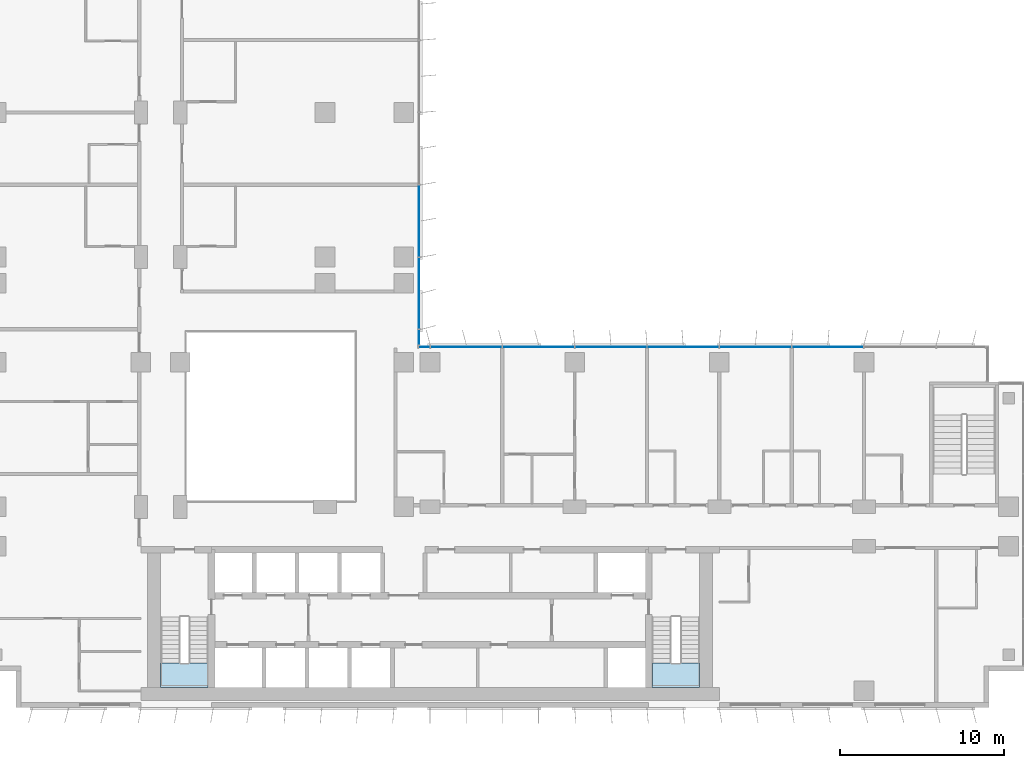
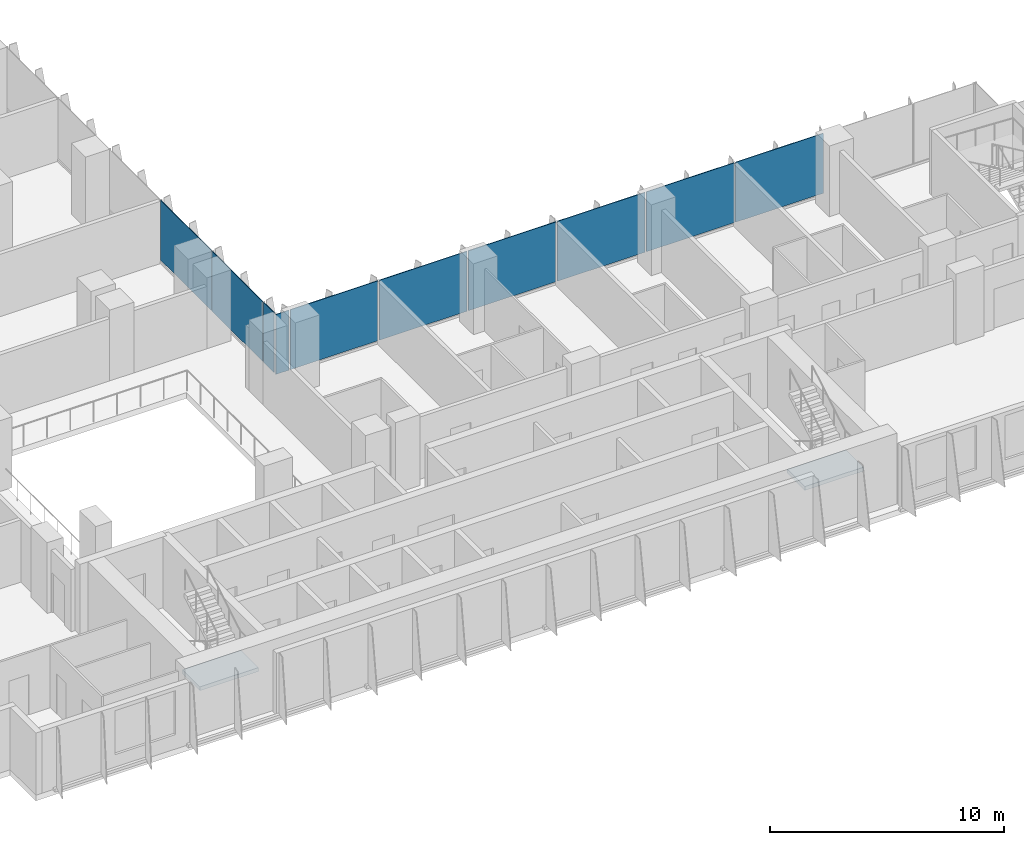
# One storey, part 10 of 22: 10 plates, 2 slabs, 4 elements without a shape of their own.
"""IFC4 building model written with IfcOpenShell, lengths in metres."""

from ifc_helpers import new_model, si_unit, direction, frame, origin, origin_2d, place, context, subcontext, project, spatial, polyline, rectangle, outline, extrude, source, transform, mapped, material, layer, layer_set, type_object, element, aggregate, save


model = new_model("IFC4")

# Units and contexts
model_context = context("Model", 3, precision=1e-05, world=origin(), true_north=direction((0.0, 1.0)))
body_context = subcontext(model_context, "Body", "Model", "MODEL_VIEW")
ifc_project = project(units=[si_unit("LENGTHUNIT", "METRE"), si_unit("AREAUNIT", "SQUARE_METRE"), si_unit("VOLUMEUNIT", "CUBIC_METRE"), si_unit("PLANEANGLEUNIT", "RADIAN"), si_unit("MASSUNIT", "GRAM", prefix="KILO")], contexts=[model_context])

# Site, building, storey
site_placement = place(None, origin())
site = spatial("IfcSite", under=ifc_project, at=site_placement, CompositionType="ELEMENT")
building_placement = place(site_placement, origin())
building = spatial("IfcBuilding", under=site, at=building_placement, Name="Kemantara Hotel Tower", CompositionType="ELEMENT")
storey_placement = place(building_placement, frame((0.0, 0.0, 149.39990234375)))
storey = spatial("IfcBuildingStorey", under=building, at=storey_placement, Name="L36", CompositionType="ELEMENT", Elevation=149.39990234375)

# Stair, slab
ifc_material_1 = material(Name="Concrete fc 40 MPa", Category="concrete")
stair_type = type_object("IfcStairType", Name="Stair 1200 wide 22 risers of 168 x 280 mm", PredefinedType="HALF_TURN_STAIR", material=ifc_material_1)
stair_1_placement = place(storey_placement, origin())
stair_1 = element("IfcStair", 1, at=stair_1_placement, inside=storey, type_object=stair_type, Name="L36 Exit stair ST1", PredefinedType="HALF_TURN_STAIR")
ifc_layer_1 = layer(ifc_material_1, 0.199951171875)
ifc_layer_set_1 = layer_set([ifc_layer_1], Name="Concrete fc 40 MPa")
slab_type = type_object("IfcSlabType", Name="Stair landing 200 mm", PredefinedType="LANDING", material=ifc_layer_set_1)
slab_1_placement = place(storey_placement, frame((0.0, 0.0, 1.650146484375)))
slab_1 = element("IfcSlab", 2, at=slab_1_placement, type_object=slab_type, Name="ST1 landing 1", PredefinedType="LANDING", context=body_context, shape_type="SweptSolid", body=[
    extrude(outline(polyline([(11.0, 2.699951171875), (11.0, 1.199951171875), (13.89990234375, 1.199951171875), (13.89990234375, 2.699951171875), (11.0, 2.699951171875)])), origin(), (0.0, 0.0, 1.0), 0.199951171875),
])
aggregate(stair_1, [slab_1])

stair_2_placement = place(storey_placement, origin())
stair_2 = element("IfcStair", 3, at=stair_2_placement, inside=storey, type_object=stair_type, Name="L36 Exit stair ST2", PredefinedType="HALF_TURN_STAIR")
slab_2_placement = place(storey_placement, frame((0.0, 0.0, 1.650146484375)))
slab_2 = element("IfcSlab", 4, at=slab_2_placement, type_object=slab_type, Name="ST2 landing 1", PredefinedType="LANDING", context=body_context, shape_type="SweptSolid", body=[
    extrude(outline(polyline([(40.89990234375, 2.699951171875), (40.89990234375, 1.199951171875), (43.800048828125, 1.199951171875), (43.800048828125, 2.699951171875), (40.89990234375, 2.699951171875)])), origin(), (0.0, 0.0, 1.0), 0.199951171875),
])
aggregate(stair_2, [slab_2])

# Curtain wall, plates
ifc_material_2 = material(Name="Low-E tinted double insulated glass 36 mm", Category="glass")
curtain_wall_type = type_object("IfcCurtainWallType", Name="TOWER CURTAIN WALL, FRONT FACES", PredefinedType="USERDEFINED", material=ifc_material_2)
curtain_wall_1_placement = place(storey_placement, origin())
curtain_wall_1 = element("IfcCurtainWall", 5, at=curtain_wall_1_placement, inside=storey, type_object=curtain_wall_type, Name="CW4 L36 T2-R13-1", ObjectType="TOWER CURTAIN WALL, FRONT FACES", PredefinedType="USERDEFINED")
ifc_layer_2 = layer(ifc_material_2, 0.035888671875)
ifc_layer_set_2 = layer_set([ifc_layer_2], Name="Low-E tinted double insulated glass 36 mm")
plate_type = type_object("IfcPlateType", Name="TOWER CURTAIN WALL, FRONT FACES PANEL", PredefinedType="CURTAIN_PANEL", material=ifc_layer_set_2)
shared_shape_1 = source(origin(), body_context, "Body", "SweptSolid", [
    extrude(rectangle(XDim=4.340087890625, YDim=0.035888671875, at=origin_2d()), origin(), (0.0, 0.0, 1.0), 3.1298828125),
])
plate_1_placement = place(storey_placement, frame((51.60009765625, 21.925048828125, 0.1201171875), z_axis=(0.0, 0.0, 1.0), x_axis=(-1.0, 0.0, 0.0)))
plate_1 = element("IfcPlate", 6, at=plate_1_placement, type_object=plate_type, Name="CW4 glass panel T2-R13-1.3", PredefinedType="CURTAIN_PANEL", context=body_context, shape_type="MappedRepresentation", body=[
    mapped(shared_shape_1, transform((0.0, 0.0, 0.0))),
])
plate_2_placement = place(storey_placement, frame((47.199951171875, 21.925048828125, 0.1201171875), z_axis=(0.0, 0.0, 1.0), x_axis=(-1.0, 0.0, 0.0)))
plate_2 = element("IfcPlate", 7, at=plate_2_placement, type_object=plate_type, Name="CW4 glass panel T2-R13-1.4", PredefinedType="CURTAIN_PANEL", context=body_context, shape_type="MappedRepresentation", body=[
    mapped(shared_shape_1, transform((0.0, 0.0, 0.0))),
])
plate_3_placement = place(storey_placement, frame((42.800048828125, 21.925048828125, 0.1201171875), z_axis=(0.0, 0.0, 1.0), x_axis=(-1.0, 0.0, 0.0)))
plate_3 = element("IfcPlate", 8, at=plate_3_placement, type_object=plate_type, Name="CW4 glass panel T2-R13-1.5", PredefinedType="CURTAIN_PANEL", context=body_context, shape_type="MappedRepresentation", body=[
    mapped(shared_shape_1, transform((0.0, 0.0, 0.0))),
])
plate_4_placement = place(storey_placement, frame((38.39990234375, 21.925048828125, 0.1201171875), z_axis=(0.0, 0.0, 1.0), x_axis=(-1.0, 0.0, 0.0)))
plate_4 = element("IfcPlate", 9, at=plate_4_placement, type_object=plate_type, Name="CW4 glass panel T2-R13-1.6", PredefinedType="CURTAIN_PANEL", context=body_context, shape_type="MappedRepresentation", body=[
    mapped(shared_shape_1, transform((0.0, 0.0, 0.0))),
])
plate_5_placement = place(storey_placement, frame((34.0, 21.925048828125, 0.1201171875), z_axis=(0.0, 0.0, 1.0), x_axis=(-1.0, 0.0, 0.0)))
plate_5 = element("IfcPlate", 10, at=plate_5_placement, type_object=plate_type, Name="CW4 glass panel T2-R13-1.7", PredefinedType="CURTAIN_PANEL", context=body_context, shape_type="MappedRepresentation", body=[
    mapped(shared_shape_1, transform((0.0, 0.0, 0.0))),
])
plate_6_placement = place(storey_placement, frame((29.60009765625, 21.925048828125, 0.1201171875), z_axis=(0.0, 0.0, 1.0), x_axis=(-1.0, 0.0, 0.0)))
plate_6 = element("IfcPlate", 11, at=plate_6_placement, type_object=plate_type, Name="CW4 glass panel T2-R13-1.8", PredefinedType="CURTAIN_PANEL", context=body_context, shape_type="MappedRepresentation", body=[
    mapped(shared_shape_1, transform((0.0, 0.0, 0.0))),
])

curtain_wall_2_placement = place(storey_placement, origin())
curtain_wall_2 = element("IfcCurtainWall", 12, at=curtain_wall_2_placement, inside=storey, type_object=curtain_wall_type, Name="CW4 L36 T2-R14-1", ObjectType="TOWER CURTAIN WALL, FRONT FACES", PredefinedType="USERDEFINED")
plate_7_placement = place(storey_placement, frame((26.72509765625, 25.199951171875, 0.1201171875), z_axis=(0.0, 0.0, 1.0), x_axis=(0.0, 1.0, 0.0)))
plate_7 = element("IfcPlate", 13, at=plate_7_placement, type_object=plate_type, Name="CW4 glass panel T2-R14-1.2", PredefinedType="CURTAIN_PANEL", context=body_context, shape_type="MappedRepresentation", body=[
    mapped(shared_shape_1, transform((0.0, 0.0, 0.0))),
])
plate_8_placement = place(storey_placement, frame((26.72509765625, 29.60009765625, 0.1201171875), z_axis=(0.0, 0.0, 1.0), x_axis=(0.0, 1.0, 0.0)))
plate_8 = element("IfcPlate", 14, at=plate_8_placement, type_object=plate_type, Name="CW4 glass panel T2-R14-1.3", PredefinedType="CURTAIN_PANEL", context=body_context, shape_type="MappedRepresentation", body=[
    mapped(shared_shape_1, transform((0.0, 0.0, 0.0))),
])

# Plate
shared_shape_2 = source(origin(), body_context, "Body", "SweptSolid", [
    extrude(rectangle(XDim=0.659912109375, YDim=0.035888671875, at=origin_2d()), origin(), (0.0, 0.0, 1.0), 3.1298828125),
])
plate_9_placement = place(storey_placement, frame((27.0400390625, 21.925048828125, 0.1201171875), z_axis=(0.0, 0.0, 1.0), x_axis=(-1.0, 0.0, 0.0)))
plate_9 = element("IfcPlate", 15, at=plate_9_placement, type_object=plate_type, Name="CW4 glass panel T2-R13-1.9", PredefinedType="CURTAIN_PANEL", context=body_context, shape_type="MappedRepresentation", body=[
    mapped(shared_shape_2, transform((0.0, 0.0, 0.0))),
])

aggregate(curtain_wall_1, [plate_1, plate_2, plate_3, plate_4, plate_5, plate_6, plate_9])

shared_shape_3 = source(origin(), body_context, "Body", "SweptSolid", [
    extrude(rectangle(XDim=0.909912109375, YDim=0.035888671875, at=origin_2d()), origin(), (0.0, 0.0, 1.0), 3.1298828125),
])
plate_10_placement = place(storey_placement, frame((26.72509765625, 22.514892578125, 0.1201171875), z_axis=(0.0, 0.0, 1.0), x_axis=(0.0, 1.0, 0.0)))
plate_10 = element("IfcPlate", 16, at=plate_10_placement, type_object=plate_type, Name="CW4 glass panel T2-R14-1.1", PredefinedType="CURTAIN_PANEL", context=body_context, shape_type="MappedRepresentation", body=[
    mapped(shared_shape_3, transform((0.0, 0.0, 0.0))),
])

aggregate(curtain_wall_2, [plate_10, plate_7, plate_8])

save(model, "model.ifc")
